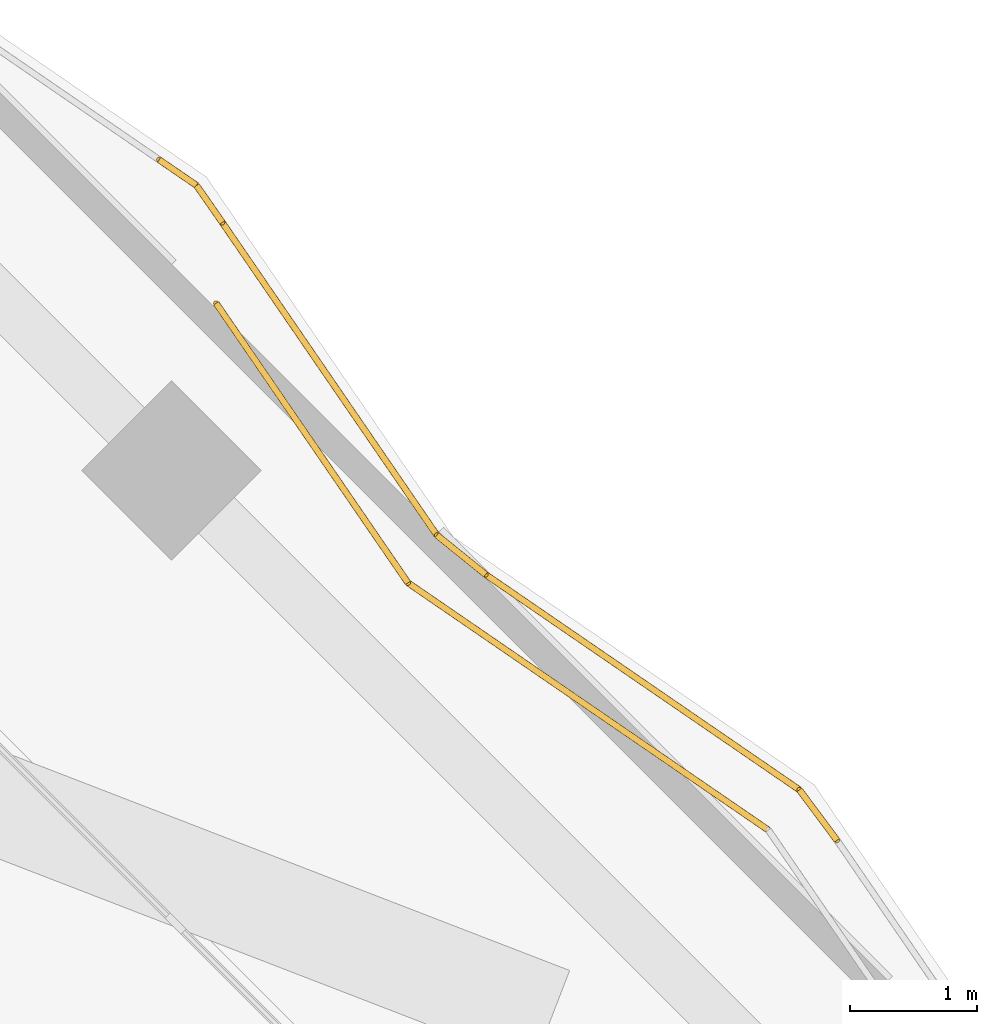
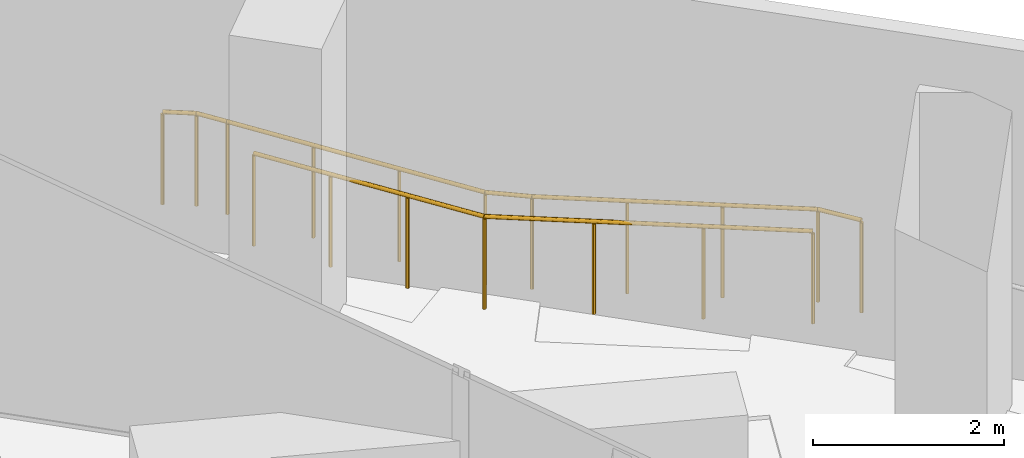
# One storey, part 23 of 23: 8 railings.
"""IFC4 building model written with IfcOpenShell, lengths in metres."""

from ifc_helpers import new_model, si_unit, direction, frame, origin, origin_2d, place, context, subcontext, project, spatial, circle, extrude, material, type_object, element, save


model = new_model("IFC4")

# Units and contexts
model_context = context("Model", 3, precision=1e-05, world=origin(), true_north=direction((0.0, 1.0)))
body_context = subcontext(model_context, "Body", "Model", "MODEL_VIEW")
ifc_project = project(units=[si_unit("LENGTHUNIT", "METRE"), si_unit("AREAUNIT", "SQUARE_METRE"), si_unit("VOLUMEUNIT", "CUBIC_METRE"), si_unit("PLANEANGLEUNIT", "RADIAN"), si_unit("MASSUNIT", "GRAM", prefix="KILO")], contexts=[model_context])

# Site, building, storey
site_placement = place(None, origin())
site = spatial("IfcSite", under=ifc_project, at=site_placement, CompositionType="ELEMENT")
building_placement = place(site_placement, origin())
building = spatial("IfcBuilding", under=site, at=building_placement, Name="Windrow Commons", CompositionType="ELEMENT")
storey_placement = place(building_placement, frame((0.0, 0.0, 122.0)))
storey = spatial("IfcBuildingStorey", under=building, at=storey_placement, Name="L33", CompositionType="ELEMENT", Elevation=122.0)

# Railings
ifc_material = material(Name="Stainless steel S316 balustrade with toughened glass infill", Category="steel")
railing_type = type_object("IfcRailingType", Name="Terrace guard 1200 podium", PredefinedType="BALUSTRADE", material=ifc_material)
railing_1_placement = place(storey_placement, frame((84.6427, 68.2261, 0.05)))
element("IfcRailing", 1, at=railing_1_placement, inside=storey, type_object=railing_type, Name="Guard TR-L33-1.E33", PredefinedType="BALUSTRADE", context=body_context, shape_type="SweptSolid", body=[
    extrude(circle(Radius=0.025, at=origin_2d()), frame((0.0, 0.0, 1.175), z_axis=(0.5657830837, -0.8245541233, 0.0), x_axis=(0.8245541233, 0.5657830837, 0.0)), (0.0, 0.0, 1.0), 2.6699),
    extrude(circle(Radius=0.02, at=origin_2d()), origin(), (0.0, 0.0, 1.0), 1.15),
    extrude(circle(Radius=0.02, at=origin_2d()), frame((0.5035, -0.7338, 0.0)), (0.0, 0.0, 1.0), 1.15),
    extrude(circle(Radius=0.02, at=origin_2d()), frame((1.0071, -1.4677, 0.0)), (0.0, 0.0, 1.0), 1.15),
    extrude(circle(Radius=0.02, at=origin_2d()), frame((1.5106, -2.2015, 0.0)), (0.0, 0.0, 1.0), 1.15),
])
railing_2_placement = place(storey_placement, frame((86.1533, 66.0246, 0.05)))
element("IfcRailing", 2, at=railing_2_placement, inside=storey, type_object=railing_type, Name="Guard TR-L33-1.E34", PredefinedType="BALUSTRADE", context=body_context, shape_type="SweptSolid", body=[
    extrude(circle(Radius=0.025, at=origin_2d()), frame((0.0, 0.0, 1.175), z_axis=(0.8245797835, -0.5657456855, 0.0), x_axis=(0.5657456855, 0.8245797835, 0.0)), (0.0, 0.0, 1.0), 3.4424),
    extrude(circle(Radius=0.02, at=origin_2d()), origin(), (0.0, 0.0, 1.0), 1.15),
    extrude(circle(Radius=0.02, at=origin_2d()), frame((0.9462, -0.6492, 0.0)), (0.0, 0.0, 1.0), 1.15),
    extrude(circle(Radius=0.02, at=origin_2d()), frame((1.8923, -1.2983, 0.0)), (0.0, 0.0, 1.0), 1.15),
    extrude(circle(Radius=0.02, at=origin_2d()), frame((2.8385, -1.9475, 0.0)), (0.0, 0.0, 1.0), 1.15),
])
railing_3_placement = place(storey_placement, frame((84.1937, 69.3564, 0.05)))
element("IfcRailing", 3, at=railing_3_placement, inside=storey, type_object=railing_type, Name="Guard TR-L33-1.C42", PredefinedType="BALUSTRADE", context=body_context, shape_type="SweptSolid", body=[
    extrude(circle(Radius=0.025, at=origin_2d()), frame((0.0, 0.0, 1.175), z_axis=(0.8245980139, -0.5657191136, 0.0), x_axis=(0.5657191136, 0.8245980139, 0.0)), (0.0, 0.0, 1.0), 0.3565),
    extrude(circle(Radius=0.02, at=origin_2d()), origin(), (0.0, 0.0, 1.0), 1.15),
    extrude(circle(Radius=0.02, at=origin_2d()), frame((0.294, -0.2017, 0.0)), (0.0, 0.0, 1.0), 1.15),
])
railing_4_placement = place(storey_placement, frame((84.4877, 69.1547, 0.05)))
element("IfcRailing", 4, at=railing_4_placement, inside=storey, type_object=railing_type, Name="Guard TR-L33-1.C43", PredefinedType="BALUSTRADE", context=body_context, shape_type="SweptSolid", body=[
    extrude(circle(Radius=0.025, at=origin_2d()), frame((0.0, 0.0, 1.175), z_axis=(0.5713113511, -0.8207334159, 0.0), x_axis=(0.8207334159, 0.5713113511, 0.0)), (0.0, 0.0, 1.0), 0.356),
    extrude(circle(Radius=0.02, at=origin_2d()), origin(), (0.0, 0.0, 1.0), 1.15),
    extrude(circle(Radius=0.02, at=origin_2d()), frame((0.2034, -0.2922, 0.0)), (0.0, 0.0, 1.0), 1.15),
])
railing_5_placement = place(storey_placement, frame((84.6911, 68.8625, 0.05)))
element("IfcRailing", 5, at=railing_5_placement, inside=storey, type_object=railing_type, Name="Guard TR-L33-1.C120", PredefinedType="BALUSTRADE", context=body_context, shape_type="SweptSolid", body=[
    extrude(circle(Radius=0.025, at=origin_2d()), frame((0.0, 0.0, 1.175), z_axis=(0.5657768878, -0.8245583747, 0.0), x_axis=(0.8245583747, 0.5657768878, 0.0)), (0.0, 0.0, 1.0), 2.9867),
    extrude(circle(Radius=0.02, at=origin_2d()), origin(), (0.0, 0.0, 1.0), 1.15),
    extrude(circle(Radius=0.02, at=origin_2d()), frame((0.5633, -0.8209, 0.0)), (0.0, 0.0, 1.0), 1.15),
    extrude(circle(Radius=0.02, at=origin_2d()), frame((1.1265, -1.6418, 0.0)), (0.0, 0.0, 1.0), 1.15),
    extrude(circle(Radius=0.02, at=origin_2d()), frame((1.6898, -2.4627, 0.0)), (0.0, 0.0, 1.0), 1.15),
])
railing_6_placement = place(storey_placement, frame((86.3809, 66.3998, 0.05)))
element("IfcRailing", 6, at=railing_6_placement, inside=storey, type_object=railing_type, Name="Guard TR-L33-1.C121", PredefinedType="BALUSTRADE", context=body_context, shape_type="SweptSolid", body=[
    extrude(circle(Radius=0.025, at=origin_2d()), frame((0.0, 0.0, 1.175), z_axis=(0.7783332205, -0.6278514139, 0.0), x_axis=(0.6278514139, 0.7783332205, 0.0)), (0.0, 0.0, 1.0), 0.4937),
    extrude(circle(Radius=0.02, at=origin_2d()), origin(), (0.0, 0.0, 1.0), 1.15),
    extrude(circle(Radius=0.02, at=origin_2d()), frame((0.3843, -0.31, 0.0)), (0.0, 0.0, 1.0), 1.15),
])
railing_7_placement = place(storey_placement, frame((86.7652, 66.0898, 0.05)))
element("IfcRailing", 7, at=railing_7_placement, inside=storey, type_object=railing_type, Name="Guard TR-L33-1.C122", PredefinedType="BALUSTRADE", context=body_context, shape_type="SweptSolid", body=[
    extrude(circle(Radius=0.025, at=origin_2d()), frame((0.0, 0.0, 1.175), z_axis=(0.8245820462, -0.5657423875, 0.0), x_axis=(0.5657423875, 0.8245820462, 0.0)), (0.0, 0.0, 1.0), 2.9961),
    extrude(circle(Radius=0.02, at=origin_2d()), origin(), (0.0, 0.0, 1.0), 1.15),
    extrude(circle(Radius=0.02, at=origin_2d()), frame((0.8235, -0.565, 0.0)), (0.0, 0.0, 1.0), 1.15),
    extrude(circle(Radius=0.02, at=origin_2d()), frame((1.647, -1.13, 0.0)), (0.0, 0.0, 1.0), 1.15),
    extrude(circle(Radius=0.02, at=origin_2d()), frame((2.4705, -1.695, 0.0)), (0.0, 0.0, 1.0), 1.15),
])
railing_8_placement = place(storey_placement, frame((89.2357, 64.3948, 0.05)))
element("IfcRailing", 8, at=railing_8_placement, inside=storey, type_object=railing_type, Name="Guard TR-L33-1.C123", PredefinedType="BALUSTRADE", context=body_context, shape_type="SweptSolid", body=[
    extrude(circle(Radius=0.025, at=origin_2d()), frame((0.0, 0.0, 1.175), z_axis=(0.5971585634, -0.8021232138, 0.0), x_axis=(0.8021232138, 0.5971585634, 0.0)), (0.0, 0.0, 1.0), 0.4962),
    extrude(circle(Radius=0.02, at=origin_2d()), origin(), (0.0, 0.0, 1.0), 1.15),
    extrude(circle(Radius=0.02, at=origin_2d()), frame((0.2963, -0.398, 0.0)), (0.0, 0.0, 1.0), 1.15),
])

save(model, "model.ifc")
